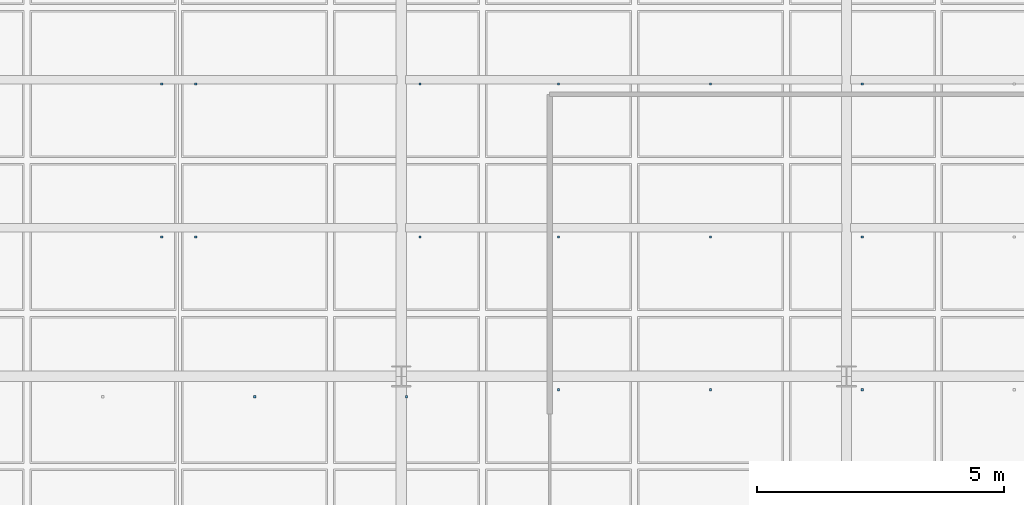
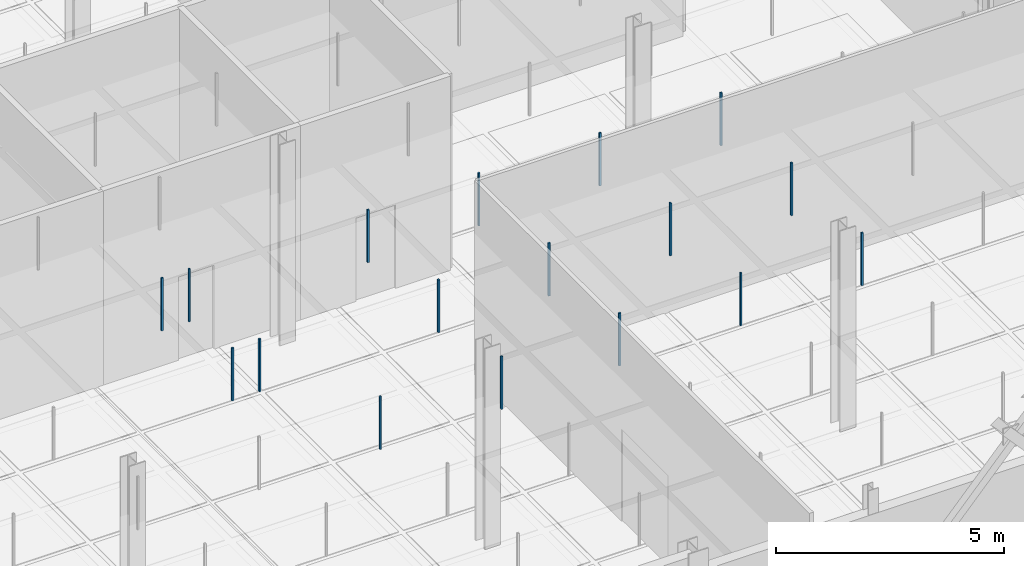
# One storey, part 112 of 180: 17 discrete accessories.
"""IFC4 building model written with IfcOpenShell, lengths in metres."""

from ifc_helpers import new_model, si_unit, direction, frame, origin, origin_2d, place, context, subcontext, project, spatial, rectangle, extrude, material, type_object, element, save


model = new_model("IFC4")

# Units and contexts
model_context = context("Model", 3, precision=1e-05, world=origin(), true_north=direction((0.0, 1.0)))
body_context = subcontext(model_context, "Body", "Model", "MODEL_VIEW")
ifc_project = project(units=[si_unit("LENGTHUNIT", "METRE"), si_unit("AREAUNIT", "SQUARE_METRE"), si_unit("VOLUMEUNIT", "CUBIC_METRE"), si_unit("PLANEANGLEUNIT", "RADIAN"), si_unit("MASSUNIT", "GRAM", prefix="KILO"), si_unit("THERMODYNAMICTEMPERATUREUNIT", "KELVIN"), si_unit("POWERUNIT", "WATT")], contexts=[model_context])

# Site, building, storey
site_placement = place(None, origin())
site = spatial("IfcSite", under=ifc_project, at=site_placement, CompositionType="ELEMENT")
building_placement = place(site_placement, origin())
building = spatial("IfcBuilding", under=site, at=building_placement, Name="Tallowbark Science Centre", CompositionType="ELEMENT")
storey_placement = place(building_placement, origin())
storey = spatial("IfcBuildingStorey", under=building, at=storey_placement, Name="L00", CompositionType="ELEMENT", Elevation=0.0)

# Discrete accessories
ifc_material = material(Name="Galvanised Steel Grade C350L0 (350 MPa)", Category="steel")
discrete_accessory_type = type_object("IfcDiscreteAccessoryType", Name="ACC-CLG-HNG", PredefinedType="BRACKET", material=ifc_material)
for number, where, z_axis, x_axis, name in (
    (1, (80.655029296875, 16.318115234375, 3.8095703125), (0.0, 0.0, 1.0), (1.0, 0.0, 0.0), "Ceiling Hanger Bracket L00-132"),
    (2, (80.655029296875, 19.4091796875, 3.8095703125), (0.0, 0.0, 1.0), (1.0, 0.0, 0.0), "Ceiling Hanger Bracket L00-133"),
    (3, (82.53564453125, 13.0859375, 3.8095703125), (0.0, 0.0, 1.0), (1.0, 0.0, 0.0), "Ceiling Hanger Bracket L00-142"),
    (4, (81.344970703125, 16.318115234375, 3.8095703125), (0.0, 0.0, 1.0), (1.0, 0.0, 0.0), "Ceiling Hanger Bracket L00-143"),
    (5, (81.344970703125, 19.4091796875, 3.8095703125), (0.0, 0.0, 1.0), (1.0, 0.0, 0.0), "Ceiling Hanger Bracket L00-144"),
    (6, (85.607177734375, 13.0859375, 3.8095703125), (0.0, 0.0, 1.0), (1.0, 0.0, 0.0), "Ceiling Hanger Bracket L00-153"),
    (7, (85.87646484375, 16.318115234375, 3.8095703125), (0.0, 0.0, 1.0), (1.0, 0.0, 0.0), "Ceiling Hanger Bracket L00-154"),
    (8, (85.87646484375, 19.4091796875, 3.8095703125), (0.0, 0.0, 1.0), (1.0, 0.0, 0.0), "Ceiling Hanger Bracket L00-155"),
    (9, (88.6787109375, 13.227294921875, 3.8095703125), (0.0, 0.0, 1.0), (1.0, 0.0, 0.0), "Ceiling Hanger Bracket L00-164"),
    (10, (88.6787109375, 16.318115234375, 3.8095703125), (0.0, 0.0, 1.0), (1.0, 0.0, 0.0), "Ceiling Hanger Bracket L00-165"),
    (11, (88.6787109375, 19.4091796875, 3.8095703125), (0.0, 0.0, 1.0), (1.0, 0.0, 0.0), "Ceiling Hanger Bracket L00-166"),
    (12, (91.75, 13.227294921875, 3.8095703125), (0.0, 0.0, 1.0), (1.0, 0.0, 0.0), "Ceiling Hanger Bracket L00-175"),
    (13, (91.75, 16.318115234375, 3.8095703125), (0.0, 0.0, 1.0), (1.0, 0.0, 0.0), "Ceiling Hanger Bracket L00-176"),
    (14, (91.75, 19.4091796875, 3.8095703125), (0.0, 0.0, 1.0), (1.0, 0.0, 0.0), "Ceiling Hanger Bracket L00-177"),
    (15, (94.8212890625, 13.227294921875, 3.8095703125), (0.0, 0.0, 1.0), (1.0, 0.0, 0.0), "Ceiling Hanger Bracket L00-182"),
    (16, (94.8212890625, 16.318115234375, 3.8095703125), (0.0, 0.0, 1.0), (1.0, 0.0, 0.0), "Ceiling Hanger Bracket L00-183"),
    (17, (94.8212890625, 19.4091796875, 3.8095703125), (0.0, 0.0, 1.0), (1.0, 0.0, 0.0), "Ceiling Hanger Bracket L00-184"),
):
    element("IfcDiscreteAccessory", number, at=place(storey_placement, frame(where, z_axis=z_axis, x_axis=x_axis)), inside=storey, type_object=discrete_accessory_type, Name=name, PredefinedType="BRACKET", context=body_context, shape_type="SweptSolid", body=[
        extrude(rectangle(XDim=0.044921875, YDim=0.044921875, at=origin_2d()), origin(), (0.0, 0.0, 1.0), 1.41357421875),
    ])

save(model, "model.ifc")
